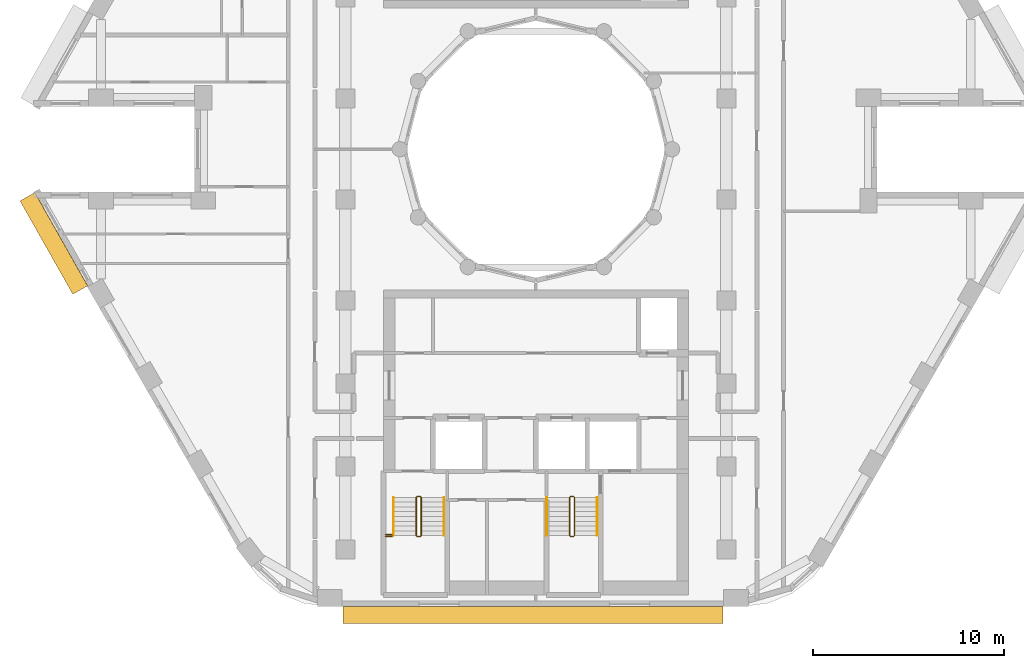
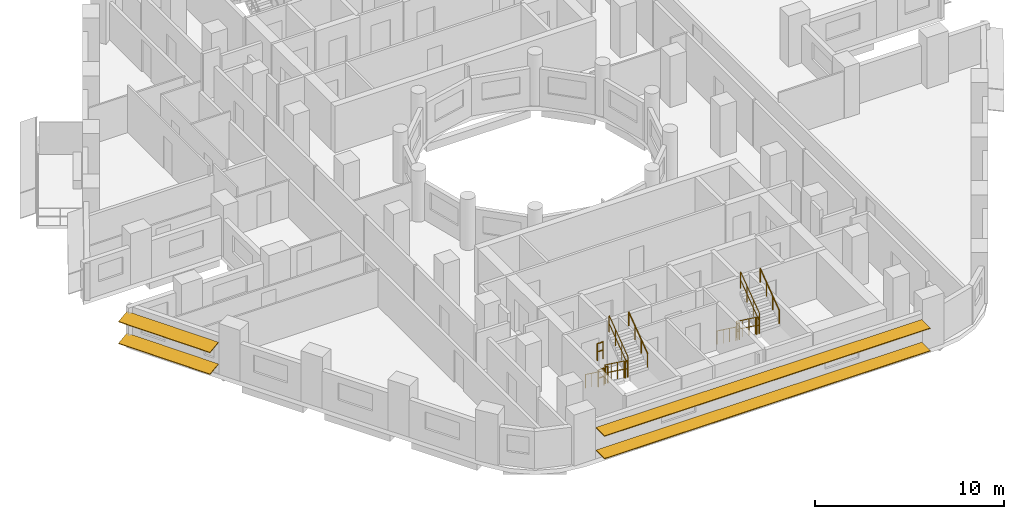
# One storey, part 11 of 13: 14 railings, 4 shading devices.
"""IFC4 building model written with IfcOpenShell, lengths in metres."""

from ifc_helpers import new_model, si_unit, direction, frame, origin, origin_2d, place, context, subcontext, project, spatial, rectangle, circle, extrude, material, material_profile, profile_set, type_object, element, save


model = new_model("IFC4")

# Units and contexts
model_context = context("Model", 3, precision=1e-05, world=origin(), true_north=direction((0.0, 1.0)))
body_context = subcontext(model_context, "Body", "Model", "MODEL_VIEW")
ifc_project = project(units=[si_unit("LENGTHUNIT", "METRE"), si_unit("AREAUNIT", "SQUARE_METRE"), si_unit("VOLUMEUNIT", "CUBIC_METRE"), si_unit("PLANEANGLEUNIT", "RADIAN"), si_unit("MASSUNIT", "GRAM", prefix="KILO")], contexts=[model_context])

# Site, building, storey
site_placement = place(None, origin())
site = spatial("IfcSite", under=ifc_project, at=site_placement, CompositionType="ELEMENT")
building_placement = place(site_placement, origin())
building = spatial("IfcBuilding", under=site, at=building_placement, Name="Nakaniwa Court", CompositionType="ELEMENT")
storey_placement = place(building_placement, frame((0.0, 0.0, 133.800048828125)))
storey = spatial("IfcBuildingStorey", under=building, at=storey_placement, Name="L34", CompositionType="ELEMENT", Elevation=133.800048828125)

# Shading devices
ifc_material_1 = material(Name="Perforated charcoal ceramic louvre blade")
ifc_material_profile = material_profile(ifc_material_1, rectangle(XDim=0.89990234375, YDim=0.050048828125, at=origin_2d()), Name="Perforated ceramic louvre blade")
ifc_profile_set = profile_set([ifc_material_profile], Name="Perforated charcoal ceramic louvre blade")
shading_device_type = type_object("IfcShadingDeviceType", Name="Perforated ceramic louvre blade", PredefinedType="JALOUSIE", material=ifc_profile_set)
for number, where, z_axis, x_axis, name in (
    (1, (53.31689453125, 77.5078125, 0.550048828125), (0.49253187421, -0.870294405869, 0.0), (0.862649339692, 0.488205247786, 0.132256390257), "L34 perforated ceramic louvre blade w20 1"),
    (2, (53.31689453125, 77.5078125, 1.95556640625), (0.49253187421, -0.870294405869, 0.0), (0.862649339692, 0.488205247786, 0.132256390257), "L34 perforated ceramic louvre blade w20 2"),
):
    element("IfcShadingDevice", number, at=place(storey_placement, frame(where, z_axis=z_axis, x_axis=x_axis)), inside=storey, type_object=shading_device_type, Name=name, PredefinedType="JALOUSIE", context=body_context, shape_type="SweptSolid", body=[
        extrude(rectangle(XDim=0.89990234375, YDim=0.050048828125, at=origin_2d()), origin(), (0.0, 0.0, 1.0), 5.62646484375),
    ])
for number, where, z_axis, x_axis, name in (
    (3, (69.871337890625, 55.550048828125, 0.550048828125), (1.0, 0.0, 0.0), (0.0, 1.0, 0.0), "L34 perforated ceramic louvre blade w26 1"),
    (4, (69.871337890625, 55.550048828125, 2.014892578125), (1.0, 0.0, 0.0), (0.0, 1.0, 0.0), "L34 perforated ceramic louvre blade w26 2"),
):
    element("IfcShadingDevice", number, at=place(storey_placement, frame(where, z_axis=z_axis, x_axis=x_axis)), inside=storey, type_object=shading_device_type, Name=name, PredefinedType="JALOUSIE", context=body_context, shape_type="SweptSolid", body=[
        extrude(rectangle(XDim=0.89990234375, YDim=0.050048828125, at=origin_2d()), origin(), (0.0, 0.0, 1.0), 19.939697265625),
    ])

# Railings
ifc_material_2 = material(Name="Black powder coated steel guard", Category="steel")
railing_type_1 = type_object("IfcRailingType", Name="Stair guard 1100", PredefinedType="GUARDRAIL", material=ifc_material_2)
railing_1_placement = place(storey_placement, frame((73.72509765625, 61.72509765625, 0.183349609375)))
element("IfcRailing", 5, at=railing_1_placement, inside=storey, type_object=railing_type_1, Name="L34 ST3 stair guard 1", PredefinedType="GUARDRAIL", context=body_context, shape_type="SweptSolid", body=[
    extrude(circle(Radius=0.02392578125, at=origin_2d()), frame((0.0, 0.0, 1.076171875), z_axis=(0.0, -0.806426902644, 0.591333789573), x_axis=(1.0, 0.0, 0.0)), (0.0, 0.0, 1.0), 2.47998046875),
    extrude(circle(Radius=0.02392578125, at=origin_2d()), frame((0.0, 0.0, 0.550048828125), z_axis=(0.0, -0.806426902644, 0.591333789573), x_axis=(1.0, 0.0, 0.0)), (0.0, 0.0, 1.0), 2.47998046875),
    extrude(circle(Radius=0.02099609375, at=origin_2d()), origin(), (0.0, 0.0, 1.0), 1.052001953125),
    extrude(circle(Radius=0.02099609375, at=origin_2d()), frame((0.0, -0.666748046875, 0.48876953125)), (0.0, 0.0, 1.0), 1.052001953125),
    extrude(circle(Radius=0.02099609375, at=origin_2d()), frame((0.0, -1.333251953125, 0.977783203125)), (0.0, 0.0, 1.0), 1.052001953125),
    extrude(circle(Radius=0.02099609375, at=origin_2d()), frame((0.0, -2.0, 1.466552734375)), (0.0, 0.0, 1.0), 1.052001953125),
])
railing_2_placement = place(storey_placement, frame((73.77490234375, 59.675048828125, 1.64990234375)))
element("IfcRailing", 6, at=railing_2_placement, inside=storey, type_object=railing_type_1, Name="L34 ST3 stair guard 2", PredefinedType="GUARDRAIL", context=body_context, shape_type="SweptSolid", body=[
    extrude(circle(Radius=0.02392578125, at=origin_2d()), frame((0.0, 0.0, 1.076171875), z_axis=(1.0, 0.0, 0.0), x_axis=(0.0, 1.0, 0.0)), (0.0, 0.0, 1.0), 0.150146484375),
    extrude(circle(Radius=0.02392578125, at=origin_2d()), frame((0.0, 0.0, 0.550048828125), z_axis=(1.0, 0.0, 0.0), x_axis=(0.0, 1.0, 0.0)), (0.0, 0.0, 1.0), 0.150146484375),
    extrude(circle(Radius=0.02099609375, at=origin_2d()), origin(), (0.0, 0.0, 1.0), 1.052001953125),
    extrude(circle(Radius=0.02099609375, at=origin_2d()), frame((0.150146484375, 0.0, 0.0)), (0.0, 0.0, 1.0), 1.052001953125),
])
railing_3_placement = place(storey_placement, frame((73.97509765625, 59.72509765625, 1.833251953125)))
element("IfcRailing", 7, at=railing_3_placement, inside=storey, type_object=railing_type_1, Name="L34 ST3 stair guard 3", PredefinedType="GUARDRAIL", context=body_context, shape_type="SweptSolid", body=[
    extrude(circle(Radius=0.02392578125, at=origin_2d()), frame((0.0, 0.0, 1.076171875), z_axis=(0.0, 0.806379959628, 0.591397802423), x_axis=(-1.0, 0.0, 0.0)), (0.0, 0.0, 1.0), 2.480224609375),
    extrude(circle(Radius=0.02392578125, at=origin_2d()), frame((0.0, 0.0, 0.550048828125), z_axis=(0.0, 0.806379959628, 0.591397802423), x_axis=(-1.0, 0.0, 0.0)), (0.0, 0.0, 1.0), 2.480224609375),
    extrude(circle(Radius=0.02099609375, at=origin_2d()), origin(), (0.0, 0.0, 1.0), 1.052001953125),
    extrude(circle(Radius=0.02099609375, at=origin_2d()), frame((0.0, 0.666748046875, 0.489013671875)), (0.0, 0.0, 1.0), 1.052001953125),
    extrude(circle(Radius=0.02099609375, at=origin_2d()), frame((0.0, 1.333251953125, 0.977783203125)), (0.0, 0.0, 1.0), 1.052001953125),
    extrude(circle(Radius=0.02099609375, at=origin_2d()), frame((0.0, 2.0, 1.466796875)), (0.0, 0.0, 1.0), 1.052001953125),
])
railing_4_placement = place(storey_placement, frame((73.77490234375, 61.77490234375, 0.0)))
element("IfcRailing", 8, at=railing_4_placement, inside=storey, type_object=railing_type_1, Name="L34 ST3 stair guard 4", PredefinedType="GUARDRAIL", context=body_context, shape_type="SweptSolid", body=[
    extrude(circle(Radius=0.02392578125, at=origin_2d()), frame((0.0, 0.0, 1.076171875), z_axis=(1.0, 0.0, 0.0), x_axis=(0.0, 1.0, 0.0)), (0.0, 0.0, 1.0), 0.150146484375),
    extrude(circle(Radius=0.02392578125, at=origin_2d()), frame((0.0, 0.0, 0.550048828125), z_axis=(1.0, 0.0, 0.0), x_axis=(0.0, 1.0, 0.0)), (0.0, 0.0, 1.0), 0.150146484375),
    extrude(circle(Radius=0.02099609375, at=origin_2d()), origin(), (0.0, 0.0, 1.0), 1.052001953125),
    extrude(circle(Radius=0.02099609375, at=origin_2d()), frame((0.150146484375, 0.0, 0.0)), (0.0, 0.0, 1.0), 1.052001953125),
])
for number, where, name in (
    (9, (72.125, 59.675048828125, 1.64990234375), "L34 ST3 landing side guard 1W"),
    (10, (72.125, 59.77490234375, 3.300048828125), "L34 ST3 floor edge guard 1W"),
):
    element("IfcRailing", number, at=place(storey_placement, frame(where)), inside=storey, type_object=railing_type_1, Name=name, PredefinedType="GUARDRAIL", context=body_context, shape_type="SweptSolid", body=[
        extrude(circle(Radius=0.02392578125, at=origin_2d()), frame((0.0, 0.0, 1.076171875), z_axis=(1.0, 0.0, 0.0), x_axis=(0.0, 1.0, 0.0)), (0.0, 0.0, 1.0), 0.35009765625),
        extrude(circle(Radius=0.02392578125, at=origin_2d()), frame((0.0, 0.0, 0.550048828125), z_axis=(1.0, 0.0, 0.0), x_axis=(0.0, 1.0, 0.0)), (0.0, 0.0, 1.0), 0.35009765625),
        extrude(circle(Radius=0.02099609375, at=origin_2d()), origin(), (0.0, 0.0, 1.0), 1.052001953125),
        extrude(circle(Radius=0.02099609375, at=origin_2d()), frame((0.35009765625, 0.0, 0.0)), (0.0, 0.0, 1.0), 1.052001953125),
    ])
railing_5_placement = place(storey_placement, frame((81.77490234375, 61.72509765625, 0.183349609375)))
element("IfcRailing", 11, at=railing_5_placement, inside=storey, type_object=railing_type_1, Name="L34 ST4 stair guard 1", PredefinedType="GUARDRAIL", context=body_context, shape_type="SweptSolid", body=[
    extrude(circle(Radius=0.02392578125, at=origin_2d()), frame((0.0, 0.0, 1.076171875), z_axis=(0.0, -0.806426902644, 0.591333789573), x_axis=(1.0, 0.0, 0.0)), (0.0, 0.0, 1.0), 2.47998046875),
    extrude(circle(Radius=0.02392578125, at=origin_2d()), frame((0.0, 0.0, 0.550048828125), z_axis=(0.0, -0.806426902644, 0.591333789573), x_axis=(1.0, 0.0, 0.0)), (0.0, 0.0, 1.0), 2.47998046875),
    extrude(circle(Radius=0.02099609375, at=origin_2d()), origin(), (0.0, 0.0, 1.0), 1.052001953125),
    extrude(circle(Radius=0.02099609375, at=origin_2d()), frame((0.0, -0.666748046875, 0.48876953125)), (0.0, 0.0, 1.0), 1.052001953125),
    extrude(circle(Radius=0.02099609375, at=origin_2d()), frame((0.0, -1.333251953125, 0.977783203125)), (0.0, 0.0, 1.0), 1.052001953125),
    extrude(circle(Radius=0.02099609375, at=origin_2d()), frame((0.0, -2.0, 1.466552734375)), (0.0, 0.0, 1.0), 1.052001953125),
])
railing_6_placement = place(storey_placement, frame((81.824951171875, 59.675048828125, 1.64990234375)))
element("IfcRailing", 12, at=railing_6_placement, inside=storey, type_object=railing_type_1, Name="L34 ST4 stair guard 2", PredefinedType="GUARDRAIL", context=body_context, shape_type="SweptSolid", body=[
    extrude(circle(Radius=0.02392578125, at=origin_2d()), frame((0.0, 0.0, 1.076171875), z_axis=(1.0, 0.0, 0.0), x_axis=(0.0, 1.0, 0.0)), (0.0, 0.0, 1.0), 0.150146484375),
    extrude(circle(Radius=0.02392578125, at=origin_2d()), frame((0.0, 0.0, 0.550048828125), z_axis=(1.0, 0.0, 0.0), x_axis=(0.0, 1.0, 0.0)), (0.0, 0.0, 1.0), 0.150146484375),
    extrude(circle(Radius=0.02099609375, at=origin_2d()), origin(), (0.0, 0.0, 1.0), 1.052001953125),
    extrude(circle(Radius=0.02099609375, at=origin_2d()), frame((0.150146484375, 0.0, 0.0)), (0.0, 0.0, 1.0), 1.052001953125),
])
railing_7_placement = place(storey_placement, frame((82.02490234375, 59.72509765625, 1.833251953125)))
element("IfcRailing", 13, at=railing_7_placement, inside=storey, type_object=railing_type_1, Name="L34 ST4 stair guard 3", PredefinedType="GUARDRAIL", context=body_context, shape_type="SweptSolid", body=[
    extrude(circle(Radius=0.02392578125, at=origin_2d()), frame((0.0, 0.0, 1.076171875), z_axis=(0.0, 0.806379959628, 0.591397802423), x_axis=(-1.0, 0.0, 0.0)), (0.0, 0.0, 1.0), 2.480224609375),
    extrude(circle(Radius=0.02392578125, at=origin_2d()), frame((0.0, 0.0, 0.550048828125), z_axis=(0.0, 0.806379959628, 0.591397802423), x_axis=(-1.0, 0.0, 0.0)), (0.0, 0.0, 1.0), 2.480224609375),
    extrude(circle(Radius=0.02099609375, at=origin_2d()), origin(), (0.0, 0.0, 1.0), 1.052001953125),
    extrude(circle(Radius=0.02099609375, at=origin_2d()), frame((0.0, 0.666748046875, 0.489013671875)), (0.0, 0.0, 1.0), 1.052001953125),
    extrude(circle(Radius=0.02099609375, at=origin_2d()), frame((0.0, 1.333251953125, 0.977783203125)), (0.0, 0.0, 1.0), 1.052001953125),
    extrude(circle(Radius=0.02099609375, at=origin_2d()), frame((0.0, 2.0, 1.466796875)), (0.0, 0.0, 1.0), 1.052001953125),
])
railing_8_placement = place(storey_placement, frame((81.824951171875, 61.77490234375, 0.0)))
element("IfcRailing", 14, at=railing_8_placement, inside=storey, type_object=railing_type_1, Name="L34 ST4 stair guard 4", PredefinedType="GUARDRAIL", context=body_context, shape_type="SweptSolid", body=[
    extrude(circle(Radius=0.02392578125, at=origin_2d()), frame((0.0, 0.0, 1.076171875), z_axis=(1.0, 0.0, 0.0), x_axis=(0.0, 1.0, 0.0)), (0.0, 0.0, 1.0), 0.150146484375),
    extrude(circle(Radius=0.02392578125, at=origin_2d()), frame((0.0, 0.0, 0.550048828125), z_axis=(1.0, 0.0, 0.0), x_axis=(0.0, 1.0, 0.0)), (0.0, 0.0, 1.0), 0.150146484375),
    extrude(circle(Radius=0.02099609375, at=origin_2d()), origin(), (0.0, 0.0, 1.0), 1.052001953125),
    extrude(circle(Radius=0.02099609375, at=origin_2d()), frame((0.150146484375, 0.0, 0.0)), (0.0, 0.0, 1.0), 1.052001953125),
])
ifc_material_3 = material(Name="Black powder coated steel handrail", Category="steel")
railing_type_2 = type_object("IfcRailingType", Name="Stair handrail 900", PredefinedType="HANDRAIL", material=ifc_material_3)
railing_9_placement = place(storey_placement, frame((72.52490234375, 61.72509765625, 0.183349609375)))
element("IfcRailing", 15, at=railing_9_placement, inside=storey, type_object=railing_type_2, Name="L34 ST3 stair handrail 1", PredefinedType="HANDRAIL", context=body_context, shape_type="SweptSolid", body=[
    extrude(circle(Radius=0.02392578125, at=origin_2d()), frame((0.0, 0.0, 0.8759765625), z_axis=(0.0, -0.806426902644, 0.591333789573), x_axis=(1.0, 0.0, 0.0)), (0.0, 0.0, 1.0), 2.47998046875),
    extrude(circle(Radius=0.02099609375, at=origin_2d()), origin(), (0.0, 0.0, 1.0), 0.851806640625),
    extrude(circle(Radius=0.02099609375, at=origin_2d()), frame((0.0, -0.666748046875, 0.48876953125)), (0.0, 0.0, 1.0), 0.851806640625),
    extrude(circle(Radius=0.02099609375, at=origin_2d()), frame((0.0, -1.333251953125, 0.977783203125)), (0.0, 0.0, 1.0), 0.851806640625),
    extrude(circle(Radius=0.02099609375, at=origin_2d()), frame((0.0, -2.0, 1.466552734375)), (0.0, 0.0, 1.0), 0.851806640625),
])
railing_10_placement = place(storey_placement, frame((75.175048828125, 59.72509765625, 1.833251953125)))
element("IfcRailing", 16, at=railing_10_placement, inside=storey, type_object=railing_type_2, Name="L34 ST3 stair handrail 2", PredefinedType="HANDRAIL", context=body_context, shape_type="SweptSolid", body=[
    extrude(circle(Radius=0.02392578125, at=origin_2d()), frame((0.0, 0.0, 0.8759765625), z_axis=(0.0, 0.806379959628, 0.591397802423), x_axis=(-1.0, 0.0, 0.0)), (0.0, 0.0, 1.0), 2.480224609375),
    extrude(circle(Radius=0.02099609375, at=origin_2d()), origin(), (0.0, 0.0, 1.0), 0.851806640625),
    extrude(circle(Radius=0.02099609375, at=origin_2d()), frame((0.0, 0.666748046875, 0.489013671875)), (0.0, 0.0, 1.0), 0.851806640625),
    extrude(circle(Radius=0.02099609375, at=origin_2d()), frame((0.0, 1.333251953125, 0.977783203125)), (0.0, 0.0, 1.0), 0.851806640625),
    extrude(circle(Radius=0.02099609375, at=origin_2d()), frame((0.0, 2.0, 1.466796875)), (0.0, 0.0, 1.0), 0.851806640625),
])
railing_11_placement = place(storey_placement, frame((80.574951171875, 61.72509765625, 0.183349609375)))
element("IfcRailing", 17, at=railing_11_placement, inside=storey, type_object=railing_type_2, Name="L34 ST4 stair handrail 1", PredefinedType="HANDRAIL", context=body_context, shape_type="SweptSolid", body=[
    extrude(circle(Radius=0.02392578125, at=origin_2d()), frame((0.0, 0.0, 0.8759765625), z_axis=(0.0, -0.806426902644, 0.591333789573), x_axis=(1.0, 0.0, 0.0)), (0.0, 0.0, 1.0), 2.47998046875),
    extrude(circle(Radius=0.02099609375, at=origin_2d()), origin(), (0.0, 0.0, 1.0), 0.851806640625),
    extrude(circle(Radius=0.02099609375, at=origin_2d()), frame((0.0, -0.666748046875, 0.48876953125)), (0.0, 0.0, 1.0), 0.851806640625),
    extrude(circle(Radius=0.02099609375, at=origin_2d()), frame((0.0, -1.333251953125, 0.977783203125)), (0.0, 0.0, 1.0), 0.851806640625),
    extrude(circle(Radius=0.02099609375, at=origin_2d()), frame((0.0, -2.0, 1.466552734375)), (0.0, 0.0, 1.0), 0.851806640625),
])
railing_12_placement = place(storey_placement, frame((83.22509765625, 59.72509765625, 1.833251953125)))
element("IfcRailing", 18, at=railing_12_placement, inside=storey, type_object=railing_type_2, Name="L34 ST4 stair handrail 2", PredefinedType="HANDRAIL", context=body_context, shape_type="SweptSolid", body=[
    extrude(circle(Radius=0.02392578125, at=origin_2d()), frame((0.0, 0.0, 0.8759765625), z_axis=(0.0, 0.806379959628, 0.591397802423), x_axis=(-1.0, 0.0, 0.0)), (0.0, 0.0, 1.0), 2.480224609375),
    extrude(circle(Radius=0.02099609375, at=origin_2d()), origin(), (0.0, 0.0, 1.0), 0.851806640625),
    extrude(circle(Radius=0.02099609375, at=origin_2d()), frame((0.0, 0.666748046875, 0.489013671875)), (0.0, 0.0, 1.0), 0.851806640625),
    extrude(circle(Radius=0.02099609375, at=origin_2d()), frame((0.0, 1.333251953125, 0.977783203125)), (0.0, 0.0, 1.0), 0.851806640625),
    extrude(circle(Radius=0.02099609375, at=origin_2d()), frame((0.0, 2.0, 1.466796875)), (0.0, 0.0, 1.0), 0.851806640625),
])

save(model, "model.ifc")
